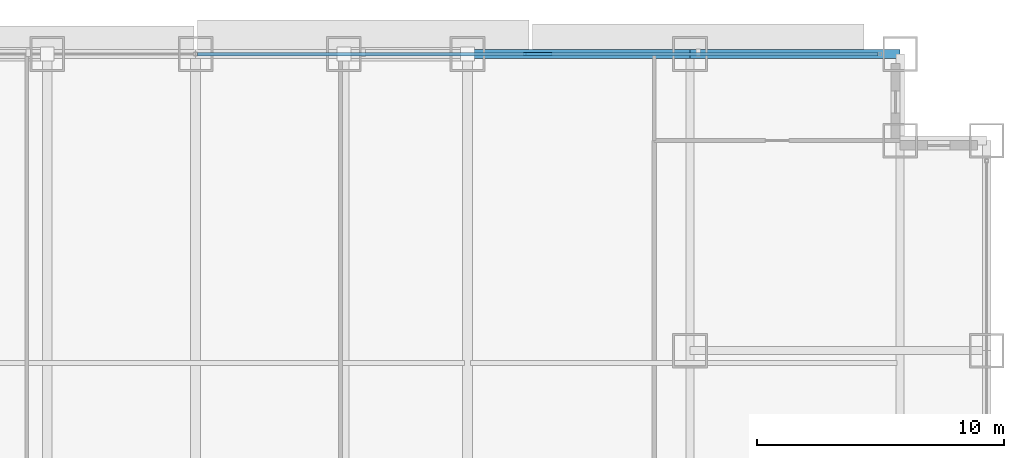
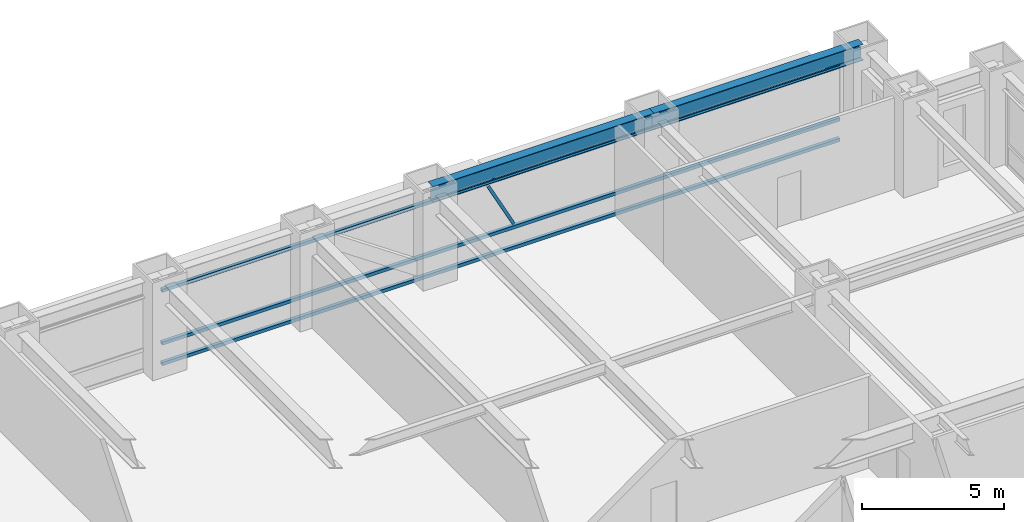
# One storey, part 20 of 32: 4 members, 2 beams, 1 element without a shape of its own.
"""IFC4 building model written with IfcOpenShell, lengths in metres."""

import ifcopenshell
import ifcopenshell.guid

model = None  # the IFC model being written
_history = None  # IfcOwnerHistory: only IFC2X3 demands one
_inside = {}  # id of a spatial element -> (the spatial element, [elements in it])
_under = {}  # id of a project, library or spatial element -> (it, [spatial elements below it])
_declared = {}  # id of a project -> (the project, [libraries it declares])
_typed = {}  # id of a type object -> (the type object, [elements of that type])
_made_of = {}  # id of a material, layer set ... -> (it, [elements and type objects made of it])


def new_model(schema):
    """Start an empty IFC model of exactly this schema.

    Asked for "IFC4X3", IfcOpenShell would pick the latest addendum, in which some entities
    have other attributes; the version numbers below select the first issue.
    IFC2X3 requires an IfcOwnerHistory on every rooted entity: one is made here for all.
    """
    global model, _history
    if schema == "IFC4X3":
        model = ifcopenshell.file(schema_version=(4, 3, 0, 0))
    else:
        model = ifcopenshell.file(schema=schema)
    _inside.clear()
    _under.clear()
    _declared.clear()
    _typed.clear()
    _made_of.clear()
    _history = None
    if model.schema == "IFC2X3":
        org = make("IfcOrganization", Name="unknown")
        user = make(
            "IfcPersonAndOrganization",
            ThePerson=make("IfcPerson", FamilyName="unknown"),
            TheOrganization=org,
        )
        app = make(
            "IfcApplication",
            ApplicationDeveloper=org,
            Version="unknown",
            ApplicationFullName="unknown",
            ApplicationIdentifier="unknown",
        )
        _history = make(
            "IfcOwnerHistory",
            OwningUser=user,
            OwningApplication=app,
            ChangeAction="ADDED",
            CreationDate=0,
        )
    return model


def make(cls, **values):
    """One entity of the class cls with the attributes given. An attribute that is None is left unset."""
    return model.create_entity(
        cls, **{name: value for name, value in values.items() if value is not None}
    )


def rooted(cls, **values):
    """An entity with a GlobalId (a new one), such as an element, a storey or a relation."""
    return make(cls, GlobalId=ifcopenshell.guid.new(), OwnerHistory=_history, **values)


def si_unit(unit_type, name, prefix=None):
    """IfcSIUnit, for example si_unit("LENGTHUNIT", "METRE", prefix="MILLI")."""
    return make("IfcSIUnit", UnitType=unit_type, Prefix=prefix, Name=name)


def assignment(units):
    """IfcUnitAssignment: the units of a project."""
    return None if units is None else make("IfcUnitAssignment", Units=units)


def point(xyz):
    """IfcCartesianPoint."""
    return None if xyz is None else make("IfcCartesianPoint", Coordinates=xyz)


def direction(xyz):
    """IfcDirection."""
    return None if xyz is None else make("IfcDirection", DirectionRatios=xyz)


def frame(location, z_axis=None, x_axis=None):
    """IfcAxis2Placement3D, a coordinate frame: its origin and axes. An axis left out is left unset."""
    return make(
        "IfcAxis2Placement3D",
        Location=point(location),
        Axis=direction(z_axis),
        RefDirection=direction(x_axis),
    )


def frame_2d(location, x_axis=None):
    """IfcAxis2Placement2D, a coordinate frame in the plane: its origin and x axis."""
    return make(
        "IfcAxis2Placement2D", Location=point(location), RefDirection=direction(x_axis)
    )


def origin():
    """The frame at (0, 0, 0) with its axes left unset."""
    return frame((0.0, 0.0, 0.0))


def origin_2d():
    """The frame at (0, 0) in the plane with its x axis left unset."""
    return frame_2d((0.0, 0.0))


def place(relative_to, where):
    """IfcLocalPlacement: puts the frame where relative to a parent placement (None: the world)."""
    return make(
        "IfcLocalPlacement", PlacementRelTo=relative_to, RelativePlacement=where
    )


def context(
    kind, dimensions, precision=None, world=None, true_north=None, identifier=None
):
    """IfcGeometricRepresentationContext, for example the 3D "Model" context."""
    return make(
        "IfcGeometricRepresentationContext",
        ContextIdentifier=identifier,
        ContextType=kind,
        CoordinateSpaceDimension=dimensions,
        Precision=precision,
        WorldCoordinateSystem=world,
        TrueNorth=true_north,
    )


def subcontext(parent, identifier, kind, view, scale=None):
    """IfcGeometricRepresentationSubContext, for example "Body" below "Model"."""
    return make(
        "IfcGeometricRepresentationSubContext",
        ContextIdentifier=identifier,
        ContextType=kind,
        ParentContext=parent,
        TargetScale=scale,
        TargetView=view,
    )


def project(units=None, contexts=None):
    """IfcProject with its units and contexts."""
    return rooted(
        "IfcProject",
        Name="project",
        RepresentationContexts=contexts,
        UnitsInContext=assignment(units),
    )


def spatial(cls, under=None, at=None, **own):
    """A site, building, storey or space (cls), placed at a placement, below another one or the project."""
    s = rooted(cls, ObjectPlacement=at, **own)
    if under is not None:
        _under.setdefault(under.id(), (under, []))[1].append(s)
    return s


def profile(cls, at=None, kind="AREA", **sizes):
    """A parametric profile (cls). Its sizes go by their IFC names, for example OverallWidth=200.0."""
    return make(cls, ProfileType=kind, Position=at, **sizes)


def hollow_rectangle(**sizes):
    """IfcRectangleHollowProfileDef."""
    return profile("IfcRectangleHollowProfileDef", **sizes)


def i_section(**sizes):
    """IfcIShapeProfileDef."""
    return profile("IfcIShapeProfileDef", **sizes)


def extrude(swept, where, along, depth):
    """IfcExtrudedAreaSolid: the profile swept, set in the frame where, extruded along a direction by depth."""
    return make(
        "IfcExtrudedAreaSolid",
        SweptArea=swept,
        Position=where,
        ExtrudedDirection=direction(along),
        Depth=depth,
    )


def shape(context_of_items, identifier, shape_type, items):
    """IfcShapeRepresentation: the items that make up one representation, for example the "Body"."""
    return make(
        "IfcShapeRepresentation",
        ContextOfItems=context_of_items,
        RepresentationIdentifier=identifier,
        RepresentationType=shape_type,
        Items=items,
    )


def source(mapping_origin, context_of_items, identifier, shape_type, items):
    """IfcRepresentationMap: a shape defined once, which mapped items show again and again."""
    return make(
        "IfcRepresentationMap",
        MappingOrigin=mapping_origin,
        MappedRepresentation=shape(context_of_items, identifier, shape_type, items),
    )


def transform(
    local_origin,
    x_axis=None,
    y_axis=None,
    z_axis=None,
    scale=None,
    scale2=None,
    scale3=None,
    uniform=True,
):
    """IfcCartesianTransformationOperator3D, or its non-uniform kind. x_axis, y_axis, z_axis: its Axis1, 2, 3."""
    if uniform:
        return make(
            "IfcCartesianTransformationOperator3D",
            Axis1=direction(x_axis),
            Axis2=direction(y_axis),
            LocalOrigin=point(local_origin),
            Scale=scale,
            Axis3=direction(z_axis),
        )
    return make(
        "IfcCartesianTransformationOperator3DnonUniform",
        Axis1=direction(x_axis),
        Axis2=direction(y_axis),
        LocalOrigin=point(local_origin),
        Scale=scale,
        Axis3=direction(z_axis),
        Scale2=scale2,
        Scale3=scale3,
    )


def mapped(mapping_source, mapping_target):
    """IfcMappedItem: shows the shape of a source again, moved by a transform."""
    return make(
        "IfcMappedItem", MappingSource=mapping_source, MappingTarget=mapping_target
    )


def material(Name=None, Category=None):
    """IfcMaterial."""
    return make("IfcMaterial", Name=Name, Category=Category)


def material_profile(
    of_material, cross_section, Name=None, Category=None, Priority=None
):
    """IfcMaterialProfile: a cross section and its material."""
    return make(
        "IfcMaterialProfile",
        Name=Name,
        Material=of_material,
        Profile=cross_section,
        Priority=Priority,
        Category=Category,
    )


def profile_set(profiles, Name=None, composite=None):
    """IfcMaterialProfileSet."""
    return make(
        "IfcMaterialProfileSet",
        Name=Name,
        MaterialProfiles=profiles,
        CompositeProfile=composite,
    )


def made_of(thing, what):
    """Note that an element or type object is made of a material, layer set ...; save() writes the relation."""
    if what is not None:
        _made_of.setdefault(what.id(), (what, []))[1].append(thing)
    return thing


def type_object(cls, material=None, **own):
    """A type object (cls), such as IfcWallType, which elements share."""
    return made_of(rooted(cls, **own), material)


def element(
    cls,
    number,
    at=None,
    inside=None,
    cuts=None,
    type_object=None,
    material=None,
    context=None,
    identifier="Body",
    shape_type=None,
    held_by="IfcProductDefinitionShape",
    body=None,
    shapes=None,
    **own,
):
    """One element of the class cls, such as IfcWall. Its Tag is "e" and its number.

    at: its placement. inside: the storey or other place that contains it. cuts: it is an
    opening in that element (IfcRelVoidsElement). A single representation is given by context,
    identifier, shape_type and body (its items); several are given by shapes. held_by: the class
    of the entity that holds the representations. save() writes the other relations.
    """
    e = rooted(cls, Tag="e%d" % number, ObjectPlacement=at, **own)
    if body is not None:
        shapes = [shape(context, identifier, shape_type, body)]
    if shapes is not None:
        e.Representation = make(held_by, Representations=shapes)
    if inside is not None:
        _inside.setdefault(inside.id(), (inside, []))[1].append(e)
    if cuts is not None:
        rooted(
            "IfcRelVoidsElement", RelatingBuildingElement=cuts, RelatedOpeningElement=e
        )
    if type_object is not None:
        _typed.setdefault(type_object.id(), (type_object, []))[1].append(e)
    return made_of(e, material)


def aggregate(whole, parts):
    """IfcRelAggregates: a whole, such as a stair, and the parts it consists of."""
    return rooted("IfcRelAggregates", RelatingObject=whole, RelatedObjects=parts)


def save(model, path):
    """Write the relations noted so far, then the file.

    IfcRelAggregates (storeys below a building ...), IfcRelContainedInSpatialStructure (elements
    in a storey), IfcRelDefinesByType, IfcRelAssociatesMaterial and IfcRelDeclares: one each for
    every whole, place, type object, material and project.
    """
    for whole, parts in _under.values():
        aggregate(whole, parts)
    for where, things in _inside.values():
        rooted(
            "IfcRelContainedInSpatialStructure",
            RelatedElements=things,
            RelatingStructure=where,
        )
    for kind, things in _typed.values():
        rooted("IfcRelDefinesByType", RelatedObjects=things, RelatingType=kind)
    for what, things in _made_of.values():
        rooted("IfcRelAssociatesMaterial", RelatedObjects=things, RelatingMaterial=what)
    for by, libraries in _declared.values():
        rooted("IfcRelDeclares", RelatingContext=by, RelatedDefinitions=libraries)
    model.write(path)


model = new_model("IFC4")

# Units and contexts
model_context = context("Model", 3, precision=1e-05, world=origin(), true_north=direction((0.0, 1.0)))
body_context = subcontext(model_context, "Body", "Model", "MODEL_VIEW")
ifc_project = project(units=[si_unit("LENGTHUNIT", "METRE"), si_unit("AREAUNIT", "SQUARE_METRE"), si_unit("VOLUMEUNIT", "CUBIC_METRE"), si_unit("PLANEANGLEUNIT", "RADIAN"), si_unit("MASSUNIT", "GRAM", prefix="KILO")], contexts=[model_context])

# Site, building, storey
site_placement = place(None, origin())
site = spatial("IfcSite", under=ifc_project, at=site_placement, CompositionType="ELEMENT")
building_placement = place(site_placement, origin())
building = spatial("IfcBuilding", under=site, at=building_placement, Name="Khorayat Bourse Tower", CompositionType="ELEMENT")
storey_placement = place(building_placement, frame((0.0, 0.0, 78.800048828125)))
storey = spatial("IfcBuildingStorey", under=building, at=storey_placement, Name="L17", CompositionType="ELEMENT", Elevation=78.800048828125)

# Beams
ifc_material_1 = material(Name="Steel ASTM A992 Grade 50", Category="steel")
ifc_material_profile_1 = material_profile(ifc_material_1, i_section(OverallWidth=0.35498046875, OverallDepth=0.695068359375, WebThickness=0.015380859375, FlangeThickness=0.02490234375, FilletRadius=0.01806640625, at=origin_2d()), Name="W690X217")
ifc_profile_set_1 = profile_set([ifc_material_profile_1], Name="Steel ASTM A992 Grade 50")
beam_type = type_object("IfcBeamType", Name="BM-SPAN-690", PredefinedType="SPANDREL", material=ifc_profile_set_1)
shared_shape_1 = source(origin(), body_context, "Body", "SweptSolid", [
    extrude(i_section(OverallWidth=0.35498046875, OverallDepth=0.695068359375, WebThickness=0.015380859375, FlangeThickness=0.02490234375, FilletRadius=0.01806640625, at=origin_2d()), origin(), (0.0, 0.0, 1.0), 8.5),
])
beam_1_placement = place(storey_placement, frame((20.0, 32.0, 3.592529296875), z_axis=(1.0, 0.0, 0.0), x_axis=(0.0, 1.0, 0.0)))
element("IfcBeam", 1, at=beam_1_placement, inside=storey, type_object=beam_type, Name="L17 BM-SPAN-690 BM-L17-SPN-044", PredefinedType="SPANDREL", context=body_context, shape_type="MappedRepresentation", body=[
    mapped(shared_shape_1, transform((0.0, 0.0, 0.0), scale=1.0)),
])
shared_shape_2 = source(origin(), body_context, "Body", "SweptSolid", [
    extrude(i_section(OverallWidth=0.35498046875, OverallDepth=0.695068359375, WebThickness=0.015380859375, FlangeThickness=0.02490234375, FilletRadius=0.01806640625, at=origin_2d()), origin(), (0.0, 0.0, 1.0), 9.0),
])
beam_2_placement = place(storey_placement, frame((11.0, 32.0, 3.592529296875), z_axis=(1.0, 0.0, 0.0), x_axis=(0.0, 1.0, 0.0)))
element("IfcBeam", 2, at=beam_2_placement, inside=storey, type_object=beam_type, Name="L17 BM-SPAN-690 BM-L17-SPN-045", PredefinedType="SPANDREL", context=body_context, shape_type="MappedRepresentation", body=[
    mapped(shared_shape_2, transform((0.0, 0.0, 0.0), scale=1.0)),
])

# Curtain wall, members
ifc_material_2 = material(Name="Aluminium EN AW-6063 T6", Category="aluminium")
curtain_wall_type = type_object("IfcCurtainWallType", Name="CW-SYS-02", PredefinedType="NOTDEFINED", material=ifc_material_2)
curtain_wall_placement = place(storey_placement, origin())
curtain_wall = element("IfcCurtainWall", 3, at=curtain_wall_placement, inside=storey, type_object=curtain_wall_type, Name="L17 Curtain Wall CW-L17-N1", PredefinedType="NOTDEFINED")
ifc_material_profile_2 = material_profile(ifc_material_2, hollow_rectangle(XDim=0.1201171875, YDim=0.1201171875, WallThickness=0.0048828125, at=origin_2d()), Name="ALU 120x120x5")
ifc_profile_set_2 = profile_set([ifc_material_profile_2], Name="Aluminium EN AW-6063 T6")
member_type_1 = type_object("IfcMemberType", Name="CWM-DIAG-120", PredefinedType="MULLION", material=ifc_profile_set_2)
shared_shape_3 = source(origin(), body_context, "Body", "SweptSolid", [
    extrude(hollow_rectangle(XDim=0.1201171875, YDim=0.1201171875, WallThickness=0.0048828125, at=origin_2d()), origin(), (0.0, 0.0, 1.0), 2.226318359375),
])
member_1_placement = place(storey_placement, frame((14.3583984375, 32.0, 1.099853515625), z_axis=(-0.465714796031, 0.0, 0.884934872608), x_axis=(0.0, -1.0, 0.0)))
member_1 = element("IfcMember", 4, at=member_1_placement, type_object=member_type_1, Name="CW-L17-N1 Faceted Diagonal Mullion 2", PredefinedType="MULLION", context=body_context, shape_type="MappedRepresentation", body=[
    mapped(shared_shape_3, transform((0.0, 0.0, 0.0), scale=1.0)),
])
ifc_material_profile_3 = material_profile(ifc_material_2, hollow_rectangle(XDim=0.139892578125, YDim=0.139892578125, WallThickness=0.006103515625, at=origin_2d()), Name="ALU 140x140x6")
ifc_profile_set_3 = profile_set([ifc_material_profile_3], Name="Aluminium EN AW-6063 T6")
member_type_2 = type_object("IfcMemberType", Name="CWT-HORZ-140", PredefinedType="USERDEFINED", material=ifc_profile_set_3)
shared_shape_4 = source(origin(), body_context, "Body", "SweptSolid", [
    extrude(hollow_rectangle(XDim=0.139892578125, YDim=0.139892578125, WallThickness=0.006103515625, at=origin_2d()), origin(), (0.0, 0.0, 1.0), 27.5400390625),
])
member_2_placement = place(storey_placement, frame((0.070068359375, 32.0, 0.070068359375), z_axis=(1.0, 0.0, 0.0), x_axis=(0.0, 1.0, 0.0)))
member_2 = element("IfcMember", 5, at=member_2_placement, type_object=member_type_2, Name="CW-L17-N1 Horizontal Transom 2-1", ObjectType="TRANSOM", PredefinedType="USERDEFINED", context=body_context, shape_type="MappedRepresentation", body=[
    mapped(shared_shape_4, transform((0.0, 0.0, 0.0), scale=1.0)),
])
member_3_placement = place(storey_placement, frame((0.070068359375, 32.0, 0.949951171875), z_axis=(1.0, 0.0, 0.0), x_axis=(0.0, 1.0, 0.0)))
member_3 = element("IfcMember", 6, at=member_3_placement, type_object=member_type_2, Name="CW-L17-N1 Horizontal Transom 2-2", ObjectType="TRANSOM", PredefinedType="USERDEFINED", context=body_context, shape_type="MappedRepresentation", body=[
    mapped(shared_shape_4, transform((0.0, 0.0, 0.0), scale=1.0)),
])
member_4_placement = place(storey_placement, frame((0.070068359375, 32.0, 3.219970703125), z_axis=(1.0, 0.0, 0.0), x_axis=(0.0, 1.0, 0.0)))
member_4 = element("IfcMember", 7, at=member_4_placement, type_object=member_type_2, Name="CW-L17-N1 Horizontal Transom 2-3", ObjectType="TRANSOM", PredefinedType="USERDEFINED", context=body_context, shape_type="MappedRepresentation", body=[
    mapped(shared_shape_4, transform((0.0, 0.0, 0.0), scale=1.0)),
])
aggregate(curtain_wall, [member_2, member_3, member_4, member_1])

save(model, "model.ifc")
